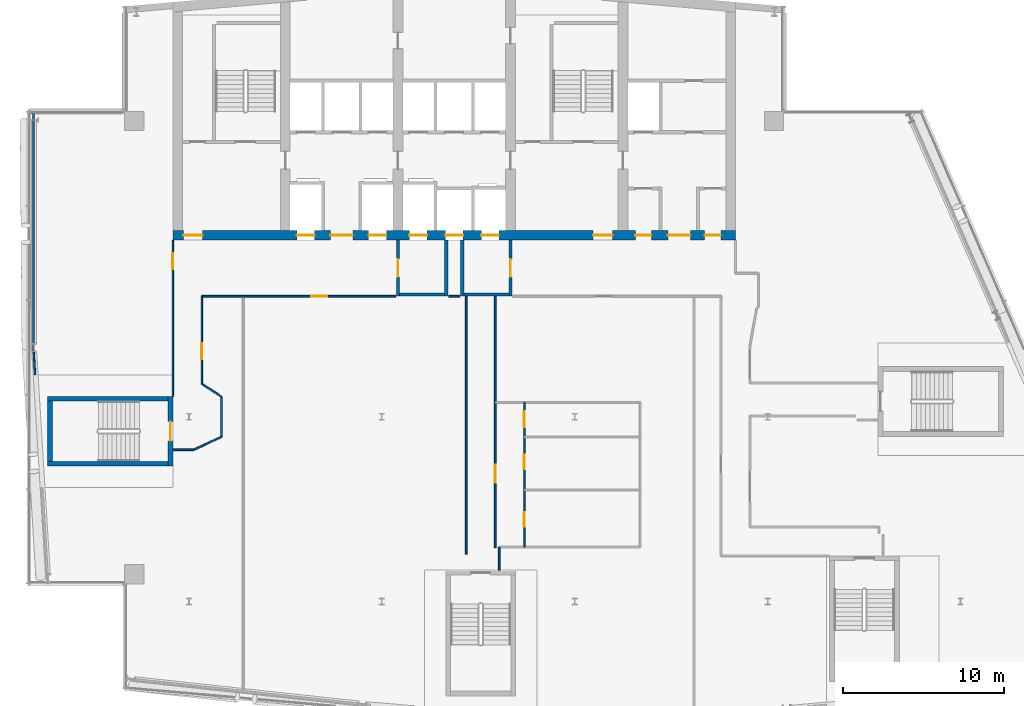
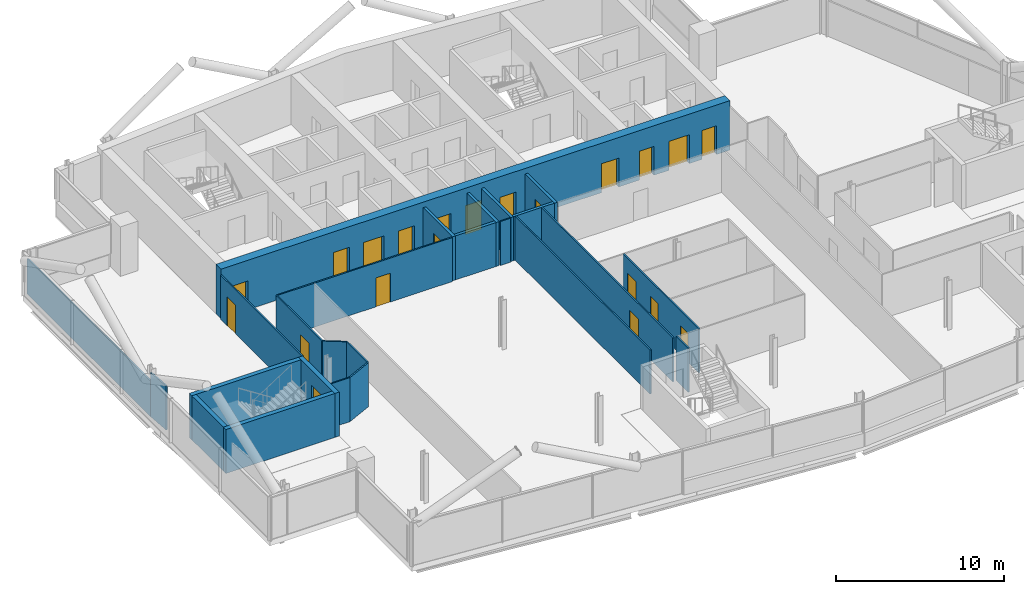
# One storey, part 15 of 25: 25 walls, 21 doors, 21 openings.
"""IFC4 building model written with IfcOpenShell, lengths in metres."""

import ifcopenshell
import ifcopenshell.guid

model = None  # the IFC model being written
_history = None  # IfcOwnerHistory: only IFC2X3 demands one
_inside = {}  # id of a spatial element -> (the spatial element, [elements in it])
_under = {}  # id of a project, library or spatial element -> (it, [spatial elements below it])
_declared = {}  # id of a project -> (the project, [libraries it declares])
_typed = {}  # id of a type object -> (the type object, [elements of that type])
_made_of = {}  # id of a material, layer set ... -> (it, [elements and type objects made of it])


def new_model(schema):
    """Start an empty IFC model of exactly this schema.

    Asked for "IFC4X3", IfcOpenShell would pick the latest addendum, in which some entities
    have other attributes; the version numbers below select the first issue.
    IFC2X3 requires an IfcOwnerHistory on every rooted entity: one is made here for all.
    """
    global model, _history
    if schema == "IFC4X3":
        model = ifcopenshell.file(schema_version=(4, 3, 0, 0))
    else:
        model = ifcopenshell.file(schema=schema)
    _inside.clear()
    _under.clear()
    _declared.clear()
    _typed.clear()
    _made_of.clear()
    _history = None
    if model.schema == "IFC2X3":
        org = make("IfcOrganization", Name="unknown")
        user = make(
            "IfcPersonAndOrganization",
            ThePerson=make("IfcPerson", FamilyName="unknown"),
            TheOrganization=org,
        )
        app = make(
            "IfcApplication",
            ApplicationDeveloper=org,
            Version="unknown",
            ApplicationFullName="unknown",
            ApplicationIdentifier="unknown",
        )
        _history = make(
            "IfcOwnerHistory",
            OwningUser=user,
            OwningApplication=app,
            ChangeAction="ADDED",
            CreationDate=0,
        )
    return model


def make(cls, **values):
    """One entity of the class cls with the attributes given. An attribute that is None is left unset."""
    return model.create_entity(
        cls, **{name: value for name, value in values.items() if value is not None}
    )


def rooted(cls, **values):
    """An entity with a GlobalId (a new one), such as an element, a storey or a relation."""
    return make(cls, GlobalId=ifcopenshell.guid.new(), OwnerHistory=_history, **values)


def si_unit(unit_type, name, prefix=None):
    """IfcSIUnit, for example si_unit("LENGTHUNIT", "METRE", prefix="MILLI")."""
    return make("IfcSIUnit", UnitType=unit_type, Prefix=prefix, Name=name)


def assignment(units):
    """IfcUnitAssignment: the units of a project."""
    return None if units is None else make("IfcUnitAssignment", Units=units)


def point(xyz):
    """IfcCartesianPoint."""
    return None if xyz is None else make("IfcCartesianPoint", Coordinates=xyz)


def direction(xyz):
    """IfcDirection."""
    return None if xyz is None else make("IfcDirection", DirectionRatios=xyz)


def frame(location, z_axis=None, x_axis=None):
    """IfcAxis2Placement3D, a coordinate frame: its origin and axes. An axis left out is left unset."""
    return make(
        "IfcAxis2Placement3D",
        Location=point(location),
        Axis=direction(z_axis),
        RefDirection=direction(x_axis),
    )


def frame_2d(location, x_axis=None):
    """IfcAxis2Placement2D, a coordinate frame in the plane: its origin and x axis."""
    return make(
        "IfcAxis2Placement2D", Location=point(location), RefDirection=direction(x_axis)
    )


def origin():
    """The frame at (0, 0, 0) with its axes left unset."""
    return frame((0.0, 0.0, 0.0))


def place(relative_to, where):
    """IfcLocalPlacement: puts the frame where relative to a parent placement (None: the world)."""
    return make(
        "IfcLocalPlacement", PlacementRelTo=relative_to, RelativePlacement=where
    )


def context(
    kind, dimensions, precision=None, world=None, true_north=None, identifier=None
):
    """IfcGeometricRepresentationContext, for example the 3D "Model" context."""
    return make(
        "IfcGeometricRepresentationContext",
        ContextIdentifier=identifier,
        ContextType=kind,
        CoordinateSpaceDimension=dimensions,
        Precision=precision,
        WorldCoordinateSystem=world,
        TrueNorth=true_north,
    )


def subcontext(parent, identifier, kind, view, scale=None):
    """IfcGeometricRepresentationSubContext, for example "Body" below "Model"."""
    return make(
        "IfcGeometricRepresentationSubContext",
        ContextIdentifier=identifier,
        ContextType=kind,
        ParentContext=parent,
        TargetScale=scale,
        TargetView=view,
    )


def project(units=None, contexts=None):
    """IfcProject with its units and contexts."""
    return rooted(
        "IfcProject",
        Name="project",
        RepresentationContexts=contexts,
        UnitsInContext=assignment(units),
    )


def spatial(cls, under=None, at=None, **own):
    """A site, building, storey or space (cls), placed at a placement, below another one or the project."""
    s = rooted(cls, ObjectPlacement=at, **own)
    if under is not None:
        _under.setdefault(under.id(), (under, []))[1].append(s)
    return s


def profile(cls, at=None, kind="AREA", **sizes):
    """A parametric profile (cls). Its sizes go by their IFC names, for example OverallWidth=200.0."""
    return make(cls, ProfileType=kind, Position=at, **sizes)


def rectangle(**sizes):
    """IfcRectangleProfileDef."""
    return profile("IfcRectangleProfileDef", **sizes)


def extrude(swept, where, along, depth):
    """IfcExtrudedAreaSolid: the profile swept, set in the frame where, extruded along a direction by depth."""
    return make(
        "IfcExtrudedAreaSolid",
        SweptArea=swept,
        Position=where,
        ExtrudedDirection=direction(along),
        Depth=depth,
    )


def shape(context_of_items, identifier, shape_type, items):
    """IfcShapeRepresentation: the items that make up one representation, for example the "Body"."""
    return make(
        "IfcShapeRepresentation",
        ContextOfItems=context_of_items,
        RepresentationIdentifier=identifier,
        RepresentationType=shape_type,
        Items=items,
    )


def material(Name=None, Category=None):
    """IfcMaterial."""
    return make("IfcMaterial", Name=Name, Category=Category)


def layer(
    of_material, thickness, ventilated=None, Name=None, Category=None, Priority=None
):
    """IfcMaterialLayer: one layer of a wall or slab, of a material (None: an air gap)."""
    return make(
        "IfcMaterialLayer",
        Material=of_material,
        LayerThickness=thickness,
        IsVentilated=ventilated,
        Name=Name,
        Category=Category,
        Priority=Priority,
    )


def layer_set(layers, Name=None):
    """IfcMaterialLayerSet."""
    return make("IfcMaterialLayerSet", MaterialLayers=layers, LayerSetName=Name)


def made_of(thing, what):
    """Note that an element or type object is made of a material, layer set ...; save() writes the relation."""
    if what is not None:
        _made_of.setdefault(what.id(), (what, []))[1].append(thing)
    return thing


def type_object(cls, material=None, **own):
    """A type object (cls), such as IfcWallType, which elements share."""
    return made_of(rooted(cls, **own), material)


def element(
    cls,
    number,
    at=None,
    inside=None,
    cuts=None,
    type_object=None,
    material=None,
    context=None,
    identifier="Body",
    shape_type=None,
    held_by="IfcProductDefinitionShape",
    body=None,
    shapes=None,
    **own,
):
    """One element of the class cls, such as IfcWall. Its Tag is "e" and its number.

    at: its placement. inside: the storey or other place that contains it. cuts: it is an
    opening in that element (IfcRelVoidsElement). A single representation is given by context,
    identifier, shape_type and body (its items); several are given by shapes. held_by: the class
    of the entity that holds the representations. save() writes the other relations.
    """
    e = rooted(cls, Tag="e%d" % number, ObjectPlacement=at, **own)
    if body is not None:
        shapes = [shape(context, identifier, shape_type, body)]
    if shapes is not None:
        e.Representation = make(held_by, Representations=shapes)
    if inside is not None:
        _inside.setdefault(inside.id(), (inside, []))[1].append(e)
    if cuts is not None:
        rooted(
            "IfcRelVoidsElement", RelatingBuildingElement=cuts, RelatedOpeningElement=e
        )
    if type_object is not None:
        _typed.setdefault(type_object.id(), (type_object, []))[1].append(e)
    return made_of(e, material)


def fill(opening, filler):
    """IfcRelFillsElement: the door or window that sits in an opening."""
    return rooted(
        "IfcRelFillsElement",
        RelatingOpeningElement=opening,
        RelatedBuildingElement=filler,
    )


def aggregate(whole, parts):
    """IfcRelAggregates: a whole, such as a stair, and the parts it consists of."""
    return rooted("IfcRelAggregates", RelatingObject=whole, RelatedObjects=parts)


def save(model, path):
    """Write the relations noted so far, then the file.

    IfcRelAggregates (storeys below a building ...), IfcRelContainedInSpatialStructure (elements
    in a storey), IfcRelDefinesByType, IfcRelAssociatesMaterial and IfcRelDeclares: one each for
    every whole, place, type object, material and project.
    """
    for whole, parts in _under.values():
        aggregate(whole, parts)
    for where, things in _inside.values():
        rooted(
            "IfcRelContainedInSpatialStructure",
            RelatedElements=things,
            RelatingStructure=where,
        )
    for kind, things in _typed.values():
        rooted("IfcRelDefinesByType", RelatedObjects=things, RelatingType=kind)
    for what, things in _made_of.values():
        rooted("IfcRelAssociatesMaterial", RelatedObjects=things, RelatingMaterial=what)
    for by, libraries in _declared.values():
        rooted("IfcRelDeclares", RelatingContext=by, RelatedDefinitions=libraries)
    model.write(path)


model = new_model("IFC4")

# Units and contexts
model_context = context("Model", 3, precision=1e-05, world=origin(), true_north=direction((0.0, 1.0)))
body_context = subcontext(model_context, "Body", "Model", "MODEL_VIEW")
ifc_project = project(units=[si_unit("LENGTHUNIT", "METRE"), si_unit("AREAUNIT", "SQUARE_METRE"), si_unit("VOLUMEUNIT", "CUBIC_METRE"), si_unit("PLANEANGLEUNIT", "RADIAN"), si_unit("MASSUNIT", "GRAM", prefix="KILO")], contexts=[model_context])

# Site, building, storey
site_placement = place(None, origin())
site = spatial("IfcSite", under=ifc_project, at=site_placement, CompositionType="ELEMENT")
building_placement = place(site_placement, origin())
building = spatial("IfcBuilding", under=site, at=building_placement, Name="Wharfspan Tower", CompositionType="ELEMENT")
storey_placement = place(building_placement, frame((0.0, 0.0, 232.300049)))
storey = spatial("IfcBuildingStorey", under=building, at=storey_placement, Name="L58", CompositionType="ELEMENT", Elevation=232.300049)

# Wall, opening, door
ifc_material_1 = material(Name="Gypsum board on steel studs", Category="steel")
ifc_layer_1 = layer(ifc_material_1, 0.100098)
ifc_layer_set_1 = layer_set([ifc_layer_1], Name="Gypsum board on steel studs")
wall_type_1 = type_object("IfcWallType", Name="Compartment wall 100 EI 60", PredefinedType="PARTITIONING", material=ifc_layer_set_1)
wall_1_placement = place(storey_placement, frame((23.0, 24.274902, 0.0), z_axis=(0.0, 0.0, 1.0), x_axis=(0.0, 1.0, 0.0)))
wall_1 = element("IfcWall", 1, at=wall_1_placement, inside=storey, type_object=wall_type_1, Name="Partition L58.w004", PredefinedType="PARTITIONING", context=body_context, shape_type="SweptSolid", body=[
    extrude(rectangle(XDim=9.705078, YDim=0.100098, at=frame_2d((4.852539, 0.0))), origin(), (0.0, 0.0, 1.0), 3.199951),
])
opening_1_placement = place(wall_1_placement, frame((7.905029, 0.0, 0.0)))
opening_1 = element("IfcOpeningElement", 2, at=opening_1_placement, cuts=wall_1, Name="Opening D4-11", PredefinedType="OPENING", context=body_context, shape_type="SweptSolid", body=[
    extrude(rectangle(XDim=1.0, YDim=2.100098, at=frame_2d((0.5, 1.050049))), frame((0.0, 0.060059, 0.0), z_axis=(0.0, -1.0, 0.0), x_axis=(1.0, 0.0, 0.0)), (0.0, 0.0, 1.0), 0.120117),
])
ifc_material_2 = material(Name="Fire-rated timber door leaf in steel frame", Category="steel")
door_type_1 = type_object("IfcDoorType", Name="Door 1000 FD30S Right", OperationType="SINGLE_SWING_RIGHT", PredefinedType="DOOR", material=ifc_material_2)
door_1_placement = place(opening_1_placement, origin())
door_1 = element("IfcDoor", 3, at=door_1_placement, inside=storey, type_object=door_type_1, Name="Door D4-11", OperationType="SINGLE_SWING_RIGHT", OverallHeight=2.100098, OverallWidth=1.0, PredefinedType="DOOR", context=body_context, shape_type="SweptSolid", body=[
    extrude(rectangle(XDim=1.0, YDim=2.100098, at=frame_2d((0.5, 1.050049))), frame((0.0, 0.024902, 0.0), z_axis=(0.0, -1.0, 0.0), x_axis=(1.0, 0.0, 0.0)), (0.0, 0.0, 1.0), 0.050049),
])
fill(opening_1, door_1)

# Walls
wall_2_placement = place(storey_placement, frame((23.02002, 20.949951, 0.0), z_axis=(0.0, 0.0, 1.0), x_axis=(1.0, 0.0, 0.0)))
element("IfcWall", 4, at=wall_2_placement, inside=storey, type_object=wall_type_1, Name="Partition L58.w005", PredefinedType="PARTITIONING", context=body_context, shape_type="SweptSolid", body=[
    extrude(rectangle(XDim=1.280029, YDim=0.100098, at=frame_2d((0.640137, 0.0))), origin(), (0.0, 0.0, 1.0), 3.199951),
])
wall_3_placement = place(storey_placement, frame((24.300049, 20.949951, 0.0), z_axis=(0.0, 0.0, 1.0), x_axis=(0.907168, 0.420777, 0.0)))
element("IfcWall", 5, at=wall_3_placement, inside=storey, type_object=wall_type_1, Name="Partition L58.w006", PredefinedType="PARTITIONING", context=body_context, shape_type="SweptSolid", body=[
    extrude(rectangle(XDim=1.901367, YDim=0.100098, at=frame_2d((0.950684, 0.0))), origin(), (0.0, 0.0, 1.0), 3.199951),
])

# Wall, opening, door
wall_4_placement = place(storey_placement, frame((24.800049, 25.050049, 0.0), z_axis=(0.0, 0.0, 1.0), x_axis=(0.0, 1.0, 0.0)))
wall_4 = element("IfcWall", 6, at=wall_4_placement, inside=storey, type_object=wall_type_1, Name="Partition L58.w007", PredefinedType="PARTITIONING", context=body_context, shape_type="SweptSolid", body=[
    extrude(rectangle(XDim=5.449951, YDim=0.100098, at=frame_2d((2.725098, 0.0))), origin(), (0.0, 0.0, 1.0), 3.199951),
])
opening_2_placement = place(wall_4_placement, frame((1.536865, 0.0, 0.0)))
opening_2 = element("IfcOpeningElement", 7, at=opening_2_placement, cuts=wall_4, Name="Opening D4-08", PredefinedType="OPENING", context=body_context, shape_type="SweptSolid", body=[
    extrude(rectangle(XDim=1.0, YDim=2.100098, at=frame_2d((0.5, 1.050049))), frame((0.0, 0.060059, 0.0), z_axis=(0.0, -1.0, 0.0), x_axis=(1.0, 0.0, 0.0)), (0.0, 0.0, 1.0), 0.120117),
])
door_type_2 = type_object("IfcDoorType", Name="Door 1000 FD30S Left", OperationType="SINGLE_SWING_LEFT", PredefinedType="DOOR", material=ifc_material_2)
door_2_placement = place(opening_2_placement, origin())
door_2 = element("IfcDoor", 8, at=door_2_placement, inside=storey, type_object=door_type_2, Name="Door D4-08", OperationType="SINGLE_SWING_LEFT", OverallHeight=2.100098, OverallWidth=1.0, PredefinedType="DOOR", context=body_context, shape_type="SweptSolid", body=[
    extrude(rectangle(XDim=1.0, YDim=2.100098, at=frame_2d((0.5, 1.050049))), frame((0.0, 0.024902, 0.0), z_axis=(0.0, -1.0, 0.0), x_axis=(1.0, 0.0, 0.0)), (0.0, 0.0, 1.0), 0.050049),
])
fill(opening_2, door_2)

wall_5_placement = place(storey_placement, frame((24.800049, 30.5, 0.0), z_axis=(0.0, 0.0, 1.0), x_axis=(1.0, 0.0, 0.0)))
wall_5 = element("IfcWall", 9, at=wall_5_placement, inside=storey, type_object=wall_type_1, Name="Partition L58.w008", PredefinedType="PARTITIONING", context=body_context, shape_type="SweptSolid", body=[
    extrude(rectangle(XDim=12.050049, YDim=0.100098, at=frame_2d((6.024902, 0.0))), origin(), (0.0, 0.0, 1.0), 3.199951),
])
opening_3_placement = place(wall_5_placement, frame((6.794922, 0.0, 0.0)))
opening_3 = element("IfcOpeningElement", 10, at=opening_3_placement, cuts=wall_5, Name="Opening D4-09", PredefinedType="OPENING", context=body_context, shape_type="SweptSolid", body=[
    extrude(rectangle(XDim=1.0, YDim=2.100098, at=frame_2d((0.5, 1.050049))), frame((0.0, 0.060059, 0.0), z_axis=(0.0, -1.0, 0.0), x_axis=(1.0, 0.0, 0.0)), (0.0, 0.0, 1.0), 0.120117),
])
door_3_placement = place(opening_3_placement, origin())
door_3 = element("IfcDoor", 11, at=door_3_placement, inside=storey, type_object=door_type_2, Name="Door D4-09", OperationType="SINGLE_SWING_LEFT", OverallHeight=2.100098, OverallWidth=1.0, PredefinedType="DOOR", context=body_context, shape_type="SweptSolid", body=[
    extrude(rectangle(XDim=1.0, YDim=2.100098, at=frame_2d((0.5, 1.050049))), frame((0.0, 0.024902, 0.0), z_axis=(0.0, -1.0, 0.0), x_axis=(1.0, 0.0, 0.0)), (0.0, 0.0, 1.0), 0.050049),
])
fill(opening_3, door_3)

# Walls
wall_6_placement = place(storey_placement, frame((26.024902, 21.75, 0.0), z_axis=(0.0, 0.0, 1.0), x_axis=(0.0, 1.0, 0.0)))
element("IfcWall", 12, at=wall_6_placement, inside=storey, type_object=wall_type_1, Name="Partition L58.w009", PredefinedType="PARTITIONING", context=body_context, shape_type="SweptSolid", body=[
    extrude(rectangle(XDim=2.5, YDim=0.100098, at=frame_2d((1.25, 0.0))), origin(), (0.0, 0.0, 1.0), 3.199951),
])
wall_7_placement = place(storey_placement, frame((26.024902, 24.25, 0.0), z_axis=(0.0, 0.0, 1.0), x_axis=(-0.837222, 0.546856, 0.0)))
element("IfcWall", 13, at=wall_7_placement, inside=storey, type_object=wall_type_1, Name="Partition L58.w010", PredefinedType="PARTITIONING", context=body_context, shape_type="SweptSolid", body=[
    extrude(rectangle(XDim=1.462891, YDim=0.100098, at=frame_2d((0.731445, 0.0))), origin(), (0.0, 0.0, 1.0), 3.199951),
])
wall_8_placement = place(storey_placement, frame((41.25, 14.443115, 0.0), z_axis=(0.0, 0.0, 1.0), x_axis=(0.0, 1.0, 0.0)))
element("IfcWall", 14, at=wall_8_placement, inside=storey, type_object=wall_type_1, Name="Partition L58.w013", PredefinedType="PARTITIONING", context=body_context, shape_type="SweptSolid", body=[
    extrude(rectangle(XDim=16.056885, YDim=0.100098, at=frame_2d((8.02832, 0.0))), origin(), (0.0, 0.0, 1.0), 3.199951),
])

# Wall, opening, door
wall_9_placement = place(storey_placement, frame((43.054932, 14.860107, 0.0), z_axis=(0.0, 0.0, 1.0), x_axis=(0.0, 1.0, 0.0)))
wall_9 = element("IfcWall", 15, at=wall_9_placement, inside=storey, type_object=wall_type_1, Name="Partition L58.w014", PredefinedType="PARTITIONING", context=body_context, shape_type="SweptSolid", body=[
    extrude(rectangle(XDim=15.639893, YDim=0.100098, at=frame_2d((7.819824, 0.0))), origin(), (0.0, 0.0, 1.0), 3.199951),
])
opening_4_placement = place(wall_9_placement, frame((4.050049, 0.0, 0.0)))
opening_4 = element("IfcOpeningElement", 16, at=opening_4_placement, cuts=wall_9, Name="Opening D4-03", PredefinedType="OPENING", context=body_context, shape_type="SweptSolid", body=[
    extrude(rectangle(XDim=1.100098, YDim=2.100098, at=frame_2d((0.550049, 1.050049))), frame((0.0, 0.060059, 0.0), z_axis=(0.0, -1.0, 0.0), x_axis=(1.0, 0.0, 0.0)), (0.0, 0.0, 1.0), 0.120117),
])
door_type_3 = type_object("IfcDoorType", Name="Door 1100 FD30S Left", OperationType="SINGLE_SWING_LEFT", PredefinedType="DOOR", material=ifc_material_2)
door_4_placement = place(opening_4_placement, origin())
door_4 = element("IfcDoor", 17, at=door_4_placement, inside=storey, type_object=door_type_3, Name="Door D4-03", OperationType="SINGLE_SWING_LEFT", OverallHeight=2.100098, OverallWidth=1.100098, PredefinedType="DOOR", context=body_context, shape_type="SweptSolid", body=[
    extrude(rectangle(XDim=1.100098, YDim=2.100098, at=frame_2d((0.550049, 1.050049))), frame((0.0, 0.024902, 0.0), z_axis=(0.0, -1.0, 0.0), x_axis=(1.0, 0.0, 0.0)), (0.0, 0.0, 1.0), 0.050049),
])
fill(opening_4, door_4)

# Walls
wall_10_placement = place(storey_placement, frame((43.304932, 13.463135, 0.0), z_axis=(0.0, 0.0, 1.0), x_axis=(0.0, 1.0, 0.0)))
element("IfcWall", 18, at=wall_10_placement, inside=storey, type_object=wall_type_1, Name="Partition L58.w017", PredefinedType="PARTITIONING", context=body_context, shape_type="SweptSolid", body=[
    extrude(rectangle(XDim=1.431885, YDim=0.100098, at=frame_2d((0.71582, 0.0))), origin(), (0.0, 0.0, 1.0), 3.199951),
])
wall_11_placement = place(storey_placement, frame((40.149902, 30.5, 0.0), z_axis=(0.0, 0.0, 1.0), x_axis=(1.0, 0.0, 0.0)))
element("IfcWall", 19, at=wall_11_placement, inside=storey, type_object=wall_type_1, Name="Partition L58.w008 (2)", PredefinedType="PARTITIONING", context=body_context, shape_type="SweptSolid", body=[
    extrude(rectangle(XDim=0.700195, YDim=0.100098, at=frame_2d((0.350098, 0.0))), origin(), (0.0, 0.0, 1.0), 3.199951),
])

# Wall, openings, doors
ifc_material_3 = material(Name="Concrete C50/60", Category="concrete")
ifc_layer_2 = layer(ifc_material_3, 0.600098)
ifc_layer_set_2 = layer_set([ifc_layer_2], Name="Concrete C50/60")
wall_type_2 = type_object("IfcWallType", Name="Core wall 600 C50/60", PredefinedType="SHEAR", material=ifc_layer_set_2)
wall_12_placement = place(storey_placement, frame((23.0, 34.300049, 0.0), z_axis=(0.0, 0.0, 1.0), x_axis=(1.0, 0.0, 0.0)))
wall_12 = element("IfcWall", 20, at=wall_12_placement, inside=storey, type_object=wall_type_2, Name="Core front wall L58", PredefinedType="SHEAR", context=body_context, shape_type="SweptSolid", body=[
    extrude(rectangle(XDim=35.0, YDim=0.600098, at=frame_2d((17.5, 0.0))), origin(), (0.0, 0.0, 1.0), 3.599854),
])
opening_5_placement = place(wall_12_placement, frame((0.649902, 0.0, 0.0)))
opening_5 = element("IfcOpeningElement", 21, at=opening_5_placement, cuts=wall_12, Name="Opening SV2.L58", PredefinedType="OPENING", context=body_context, shape_type="SweptSolid", body=[
    extrude(rectangle(XDim=1.199951, YDim=2.100098, at=frame_2d((0.600098, 1.050049))), frame((0.0, 0.310059, 0.0), z_axis=(0.0, -1.0, 0.0), x_axis=(1.0, 0.0, 0.0)), (0.0, 0.0, 1.0), 0.620117),
])
opening_6_placement = place(wall_12_placement, frame((7.716797, 0.0, 0.0)))
opening_6 = element("IfcOpeningElement", 22, at=opening_6_placement, cuts=wall_12, Name="Opening LD.SL1.L58", PredefinedType="OPENING", context=body_context, shape_type="SweptSolid", body=[
    extrude(rectangle(XDim=1.100098, YDim=2.100098, at=frame_2d((0.550049, 1.050049))), frame((0.0, 0.310059, 0.0), z_axis=(0.0, -1.0, 0.0), x_axis=(1.0, 0.0, 0.0)), (0.0, 0.0, 1.0), 0.620117),
])
opening_7_placement = place(wall_12_placement, frame((12.18335, 0.0, 0.0)))
opening_7 = element("IfcOpeningElement", 23, at=opening_7_placement, cuts=wall_12, Name="Opening LD.SL2.L58", PredefinedType="OPENING", context=body_context, shape_type="SweptSolid", body=[
    extrude(rectangle(XDim=1.100098, YDim=2.100098, at=frame_2d((0.550049, 1.050049))), frame((0.0, 0.310059, 0.0), z_axis=(0.0, -1.0, 0.0), x_axis=(1.0, 0.0, 0.0)), (0.0, 0.0, 1.0), 0.620117),
])
opening_8_placement = place(wall_12_placement, frame((9.800049, 0.0, 0.0)))
opening_8 = element("IfcOpeningElement", 24, at=opening_8_placement, cuts=wall_12, Name="Opening HD58.3", PredefinedType="OPENING", context=body_context, shape_type="SweptSolid", body=[
    extrude(rectangle(XDim=1.399902, YDim=2.100098, at=frame_2d((0.699951, 1.050049))), frame((0.0, 0.310059, 0.0), z_axis=(0.0, -1.0, 0.0), x_axis=(1.0, 0.0, 0.0)), (0.0, 0.0, 1.0), 0.620117),
])
opening_9_placement = place(wall_12_placement, frame((14.716797, 0.0, 0.0)))
opening_9 = element("IfcOpeningElement", 25, at=opening_9_placement, cuts=wall_12, Name="Opening LD.FF1.L58", PredefinedType="OPENING", context=body_context, shape_type="SweptSolid", body=[
    extrude(rectangle(XDim=1.100098, YDim=2.100098, at=frame_2d((0.550049, 1.050049))), frame((0.0, 0.310059, 0.0), z_axis=(0.0, -1.0, 0.0), x_axis=(1.0, 0.0, 0.0)), (0.0, 0.0, 1.0), 0.620117),
])
opening_10_placement = place(wall_12_placement, frame((16.949951, 0.0, 0.0)))
opening_10 = element("IfcOpeningElement", 26, at=opening_10_placement, cuts=wall_12, Name="Opening LD.LB7.L58", PredefinedType="OPENING", context=body_context, shape_type="SweptSolid", body=[
    extrude(rectangle(XDim=1.100098, YDim=2.100098, at=frame_2d((0.550049, 1.050049))), frame((0.0, 0.310059, 0.0), z_axis=(0.0, -1.0, 0.0), x_axis=(1.0, 0.0, 0.0)), (0.0, 0.0, 1.0), 0.620117),
])
opening_11_placement = place(wall_12_placement, frame((19.18335, 0.0, 0.0)))
opening_11 = element("IfcOpeningElement", 27, at=opening_11_placement, cuts=wall_12, Name="Opening LD.FF2.L58", PredefinedType="OPENING", context=body_context, shape_type="SweptSolid", body=[
    extrude(rectangle(XDim=1.100098, YDim=2.100098, at=frame_2d((0.550049, 1.050049))), frame((0.0, 0.310059, 0.0), z_axis=(0.0, -1.0, 0.0), x_axis=(1.0, 0.0, 0.0)), (0.0, 0.0, 1.0), 0.620117),
])
opening_12_placement = place(wall_12_placement, frame((26.149902, 0.0, 0.0)))
opening_12 = element("IfcOpeningElement", 28, at=opening_12_placement, cuts=wall_12, Name="Opening SV5.L58", PredefinedType="OPENING", context=body_context, shape_type="SweptSolid", body=[
    extrude(rectangle(XDim=1.199951, YDim=2.100098, at=frame_2d((0.600098, 1.050049))), frame((0.0, 0.310059, 0.0), z_axis=(0.0, -1.0, 0.0), x_axis=(1.0, 0.0, 0.0)), (0.0, 0.0, 1.0), 0.620117),
])
opening_13_placement = place(wall_12_placement, frame((28.766602, 0.0, 0.0)))
opening_13 = element("IfcOpeningElement", 29, at=opening_13_placement, cuts=wall_12, Name="Opening CD58.6F1", PredefinedType="OPENING", context=body_context, shape_type="SweptSolid", body=[
    extrude(rectangle(XDim=1.0, YDim=2.100098, at=frame_2d((0.5, 1.050049))), frame((0.0, 0.310059, 0.0), z_axis=(0.0, -1.0, 0.0), x_axis=(1.0, 0.0, 0.0)), (0.0, 0.0, 1.0), 0.620117),
])
opening_14_placement = place(wall_12_placement, frame((33.083252, 0.0, 0.0)))
opening_14 = element("IfcOpeningElement", 30, at=opening_14_placement, cuts=wall_12, Name="Opening CD58.6F3", PredefinedType="OPENING", context=body_context, shape_type="SweptSolid", body=[
    extrude(rectangle(XDim=1.0, YDim=2.100098, at=frame_2d((0.5, 1.050049))), frame((0.0, 0.310059, 0.0), z_axis=(0.0, -1.0, 0.0), x_axis=(1.0, 0.0, 0.0)), (0.0, 0.0, 1.0), 0.620117),
])
opening_15_placement = place(wall_12_placement, frame((30.800049, 0.0, 0.0)))
opening_15 = element("IfcOpeningElement", 31, at=opening_15_placement, cuts=wall_12, Name="Opening HD58.6", PredefinedType="OPENING", context=body_context, shape_type="SweptSolid", body=[
    extrude(rectangle(XDim=1.399902, YDim=2.100098, at=frame_2d((0.699951, 1.050049))), frame((0.0, 0.310059, 0.0), z_axis=(0.0, -1.0, 0.0), x_axis=(1.0, 0.0, 0.0)), (0.0, 0.0, 1.0), 0.620117),
])
ifc_material_4 = material(Name="Steel door leaf", Category="steel")
door_type_4 = type_object("IfcDoorType", Name="Core room door 1000x2100", OperationType="SINGLE_SWING_LEFT", PredefinedType="DOOR", material=ifc_material_4)
door_5_placement = place(opening_13_placement, origin())
door_5 = element("IfcDoor", 32, at=door_5_placement, inside=storey, type_object=door_type_4, Name="d:L58:6:fd6.1", OperationType="SINGLE_SWING_LEFT", OverallHeight=2.100098, OverallWidth=1.0, PredefinedType="DOOR", context=body_context, shape_type="SweptSolid", body=[
    extrude(rectangle(XDim=1.0, YDim=2.100098, at=frame_2d((0.5, 1.050049))), frame((0.0, 0.024902, 0.0), z_axis=(0.0, -1.0, 0.0), x_axis=(1.0, 0.0, 0.0)), (0.0, 0.0, 1.0), 0.050049),
])
fill(opening_13, door_5)
door_6_placement = place(opening_14_placement, origin())
door_6 = element("IfcDoor", 33, at=door_6_placement, inside=storey, type_object=door_type_4, Name="d:L58:6:fd6.3", OperationType="SINGLE_SWING_LEFT", OverallHeight=2.100098, OverallWidth=1.0, PredefinedType="DOOR", context=body_context, shape_type="SweptSolid", body=[
    extrude(rectangle(XDim=1.0, YDim=2.100098, at=frame_2d((0.5, 1.050049))), frame((0.0, 0.024902, 0.0), z_axis=(0.0, -1.0, 0.0), x_axis=(1.0, 0.0, 0.0)), (0.0, 0.0, 1.0), 0.050049),
])
fill(opening_14, door_6)
door_type_5 = type_object("IfcDoorType", Name="Hall entry door 1400x2100", OperationType="DOUBLE_DOOR_SINGLE_SWING", PredefinedType="DOOR", material=ifc_material_4)
door_7_placement = place(opening_8_placement, origin())
door_7 = element("IfcDoor", 34, at=door_7_placement, inside=storey, type_object=door_type_5, Name="d:L58:3:hd3", OperationType="DOUBLE_DOOR_SINGLE_SWING", OverallHeight=2.100098, OverallWidth=1.399902, PredefinedType="DOOR", context=body_context, shape_type="SweptSolid", body=[
    extrude(rectangle(XDim=1.399902, YDim=2.100098, at=frame_2d((0.699951, 1.050049))), frame((0.0, 0.024902, 0.0), z_axis=(0.0, -1.0, 0.0), x_axis=(1.0, 0.0, 0.0)), (0.0, 0.0, 1.0), 0.050049),
])
fill(opening_8, door_7)
door_8_placement = place(opening_15_placement, origin())
door_8 = element("IfcDoor", 35, at=door_8_placement, inside=storey, type_object=door_type_5, Name="d:L58:6:hd6", OperationType="DOUBLE_DOOR_SINGLE_SWING", OverallHeight=2.100098, OverallWidth=1.399902, PredefinedType="DOOR", context=body_context, shape_type="SweptSolid", body=[
    extrude(rectangle(XDim=1.399902, YDim=2.100098, at=frame_2d((0.699951, 1.050049))), frame((0.0, 0.024902, 0.0), z_axis=(0.0, -1.0, 0.0), x_axis=(1.0, 0.0, 0.0)), (0.0, 0.0, 1.0), 0.050049),
])
fill(opening_15, door_8)
ifc_material_5 = material(Name="Stainless steel", Category="steel")
door_type_6 = type_object("IfcDoorType", Name="Lift landing door 1100x2100", OperationType="DOUBLE_DOOR_SLIDING", PredefinedType="DOOR", material=ifc_material_5)
door_9_placement = place(opening_6_placement, origin())
door_9 = element("IfcDoor", 36, at=door_9_placement, inside=storey, type_object=door_type_6, Name="Landing door SL1 L58", OperationType="DOUBLE_DOOR_SLIDING", OverallHeight=2.100098, OverallWidth=1.100098, PredefinedType="DOOR", context=body_context, shape_type="SweptSolid", body=[
    extrude(rectangle(XDim=1.100098, YDim=2.100098, at=frame_2d((0.550049, 1.050049))), frame((0.0, 0.024902, 0.0), z_axis=(0.0, -1.0, 0.0), x_axis=(1.0, 0.0, 0.0)), (0.0, 0.0, 1.0), 0.050049),
])
fill(opening_6, door_9)
door_10_placement = place(opening_7_placement, origin())
door_10 = element("IfcDoor", 37, at=door_10_placement, inside=storey, type_object=door_type_6, Name="Landing door SL2 L58", OperationType="DOUBLE_DOOR_SLIDING", OverallHeight=2.100098, OverallWidth=1.100098, PredefinedType="DOOR", context=body_context, shape_type="SweptSolid", body=[
    extrude(rectangle(XDim=1.100098, YDim=2.100098, at=frame_2d((0.550049, 1.050049))), frame((0.0, 0.024902, 0.0), z_axis=(0.0, -1.0, 0.0), x_axis=(1.0, 0.0, 0.0)), (0.0, 0.0, 1.0), 0.050049),
])
fill(opening_7, door_10)
door_11_placement = place(opening_9_placement, origin())
door_11 = element("IfcDoor", 38, at=door_11_placement, inside=storey, type_object=door_type_6, Name="Landing door FF1 L58", OperationType="DOUBLE_DOOR_SLIDING", OverallHeight=2.100098, OverallWidth=1.100098, PredefinedType="DOOR", context=body_context, shape_type="SweptSolid", body=[
    extrude(rectangle(XDim=1.100098, YDim=2.100098, at=frame_2d((0.550049, 1.050049))), frame((0.0, 0.024902, 0.0), z_axis=(0.0, -1.0, 0.0), x_axis=(1.0, 0.0, 0.0)), (0.0, 0.0, 1.0), 0.050049),
])
fill(opening_9, door_11)
door_12_placement = place(opening_10_placement, origin())
door_12 = element("IfcDoor", 39, at=door_12_placement, inside=storey, type_object=door_type_6, Name="Landing door LB7 L58", OperationType="DOUBLE_DOOR_SLIDING", OverallHeight=2.100098, OverallWidth=1.100098, PredefinedType="DOOR", context=body_context, shape_type="SweptSolid", body=[
    extrude(rectangle(XDim=1.100098, YDim=2.100098, at=frame_2d((0.550049, 1.050049))), frame((0.0, 0.024902, 0.0), z_axis=(0.0, -1.0, 0.0), x_axis=(1.0, 0.0, 0.0)), (0.0, 0.0, 1.0), 0.050049),
])
fill(opening_10, door_12)
door_13_placement = place(opening_11_placement, origin())
door_13 = element("IfcDoor", 40, at=door_13_placement, inside=storey, type_object=door_type_6, Name="Landing door FF2 L58", OperationType="DOUBLE_DOOR_SLIDING", OverallHeight=2.100098, OverallWidth=1.100098, PredefinedType="DOOR", context=body_context, shape_type="SweptSolid", body=[
    extrude(rectangle(XDim=1.100098, YDim=2.100098, at=frame_2d((0.550049, 1.050049))), frame((0.0, 0.024902, 0.0), z_axis=(0.0, -1.0, 0.0), x_axis=(1.0, 0.0, 0.0)), (0.0, 0.0, 1.0), 0.050049),
])
fill(opening_11, door_13)
door_type_7 = type_object("IfcDoorType", Name="Stair door 1200x2100", OperationType="SINGLE_SWING_LEFT", PredefinedType="DOOR", material=ifc_material_4)
door_14_placement = place(opening_5_placement, origin())
door_14 = element("IfcDoor", 41, at=door_14_placement, inside=storey, type_object=door_type_7, Name="vd:L58:2", OperationType="SINGLE_SWING_LEFT", OverallHeight=2.100098, OverallWidth=1.199951, PredefinedType="DOOR", context=body_context, shape_type="SweptSolid", body=[
    extrude(rectangle(XDim=1.199951, YDim=2.100098, at=frame_2d((0.600098, 1.050049))), frame((0.0, 0.024902, 0.0), z_axis=(0.0, -1.0, 0.0), x_axis=(1.0, 0.0, 0.0)), (0.0, 0.0, 1.0), 0.050049),
])
fill(opening_5, door_14)
door_15_placement = place(opening_12_placement, origin())
door_15 = element("IfcDoor", 42, at=door_15_placement, inside=storey, type_object=door_type_7, Name="vd:L58:5", OperationType="SINGLE_SWING_LEFT", OverallHeight=2.100098, OverallWidth=1.199951, PredefinedType="DOOR", context=body_context, shape_type="SweptSolid", body=[
    extrude(rectangle(XDim=1.199951, YDim=2.100098, at=frame_2d((0.600098, 1.050049))), frame((0.0, 0.024902, 0.0), z_axis=(0.0, -1.0, 0.0), x_axis=(1.0, 0.0, 0.0)), (0.0, 0.0, 1.0), 0.050049),
])
fill(opening_12, door_15)

# Wall, opening, door
ifc_material_6 = material(Name="Concrete C30/37", Category="concrete")
ifc_layer_3 = layer(ifc_material_6, 0.199951)
ifc_layer_set_3 = layer_set([ifc_layer_3], Name="Concrete C30/37")
wall_type_3 = type_object("IfcWallType", Name="Lobby wall 200", PredefinedType="PARTITIONING", material=ifc_layer_set_3)
wall_13_placement = place(storey_placement, frame((37.0, 30.5, 0.0), z_axis=(0.0, 0.0, 1.0), x_axis=(0.0, 1.0, 0.0)))
wall_13 = element("IfcWall", 43, at=wall_13_placement, inside=storey, type_object=wall_type_3, Name="sw:L58:FLFF1W", PredefinedType="PARTITIONING", context=body_context, shape_type="SweptSolid", body=[
    extrude(rectangle(XDim=3.5, YDim=0.199951, at=frame_2d((1.75, 0.0))), origin(), (0.0, 0.0, 1.0), 3.199951),
])
opening_16_placement = place(wall_13_placement, frame((1.199951, 0.0, 0.0)))
opening_16 = element("IfcOpeningElement", 44, at=opening_16_placement, cuts=wall_13, Name="Opening FL.FF1.L58", PredefinedType="OPENING", context=body_context, shape_type="SweptSolid", body=[
    extrude(rectangle(XDim=1.100098, YDim=2.100098, at=frame_2d((0.550049, 1.050049))), frame((0.0, 0.109863, 0.0), z_axis=(0.0, -1.0, 0.0), x_axis=(1.0, 0.0, 0.0)), (0.0, 0.0, 1.0), 0.219971),
])
door_type_8 = type_object("IfcDoorType", Name="Firefighting lobby door 1100x2100", OperationType="SINGLE_SWING_LEFT", PredefinedType="DOOR", material=ifc_material_4)
door_16_placement = place(opening_16_placement, origin())
door_16 = element("IfcDoor", 45, at=door_16_placement, inside=storey, type_object=door_type_8, Name="fd:L58:FF1", OperationType="SINGLE_SWING_LEFT", OverallHeight=2.100098, OverallWidth=1.100098, PredefinedType="DOOR", context=body_context, shape_type="SweptSolid", body=[
    extrude(rectangle(XDim=1.100098, YDim=2.100098, at=frame_2d((0.550049, 1.050049))), frame((0.0, 0.024902, 0.0), z_axis=(0.0, -1.0, 0.0), x_axis=(1.0, 0.0, 0.0)), (0.0, 0.0, 1.0), 0.050049),
])
fill(opening_16, door_16)

# Walls
wall_14_placement = place(storey_placement, frame((40.0, 30.5, 0.0), z_axis=(0.0, 0.0, 1.0), x_axis=(0.0, 1.0, 0.0)))
element("IfcWall", 46, at=wall_14_placement, inside=storey, type_object=wall_type_3, Name="sw:L58:FLFF1E", PredefinedType="PARTITIONING", context=body_context, shape_type="SweptSolid", body=[
    extrude(rectangle(XDim=3.5, YDim=0.199951, at=frame_2d((1.75, 0.0))), origin(), (0.0, 0.0, 1.0), 3.199951),
])
wall_15_placement = place(storey_placement, frame((37.100098, 30.600098, 0.0), z_axis=(0.0, 0.0, 1.0), x_axis=(1.0, 0.0, 0.0)))
element("IfcWall", 47, at=wall_15_placement, inside=storey, type_object=wall_type_3, Name="sw:L58:FLFF1F", PredefinedType="PARTITIONING", context=body_context, shape_type="SweptSolid", body=[
    extrude(rectangle(XDim=2.799805, YDim=0.199951, at=frame_2d((1.399902, 0.0))), origin(), (0.0, 0.0, 1.0), 3.199951),
])
wall_16_placement = place(storey_placement, frame((41.0, 30.5, 0.0), z_axis=(0.0, 0.0, 1.0), x_axis=(0.0, 1.0, 0.0)))
element("IfcWall", 48, at=wall_16_placement, inside=storey, type_object=wall_type_3, Name="sw:L58:FLFF2W", PredefinedType="PARTITIONING", context=body_context, shape_type="SweptSolid", body=[
    extrude(rectangle(XDim=3.5, YDim=0.199951, at=frame_2d((1.75, 0.0))), origin(), (0.0, 0.0, 1.0), 3.199951),
])

# Wall, opening, door
wall_17_placement = place(storey_placement, frame((44.0, 30.5, 0.0), z_axis=(0.0, 0.0, 1.0), x_axis=(0.0, 1.0, 0.0)))
wall_17 = element("IfcWall", 49, at=wall_17_placement, inside=storey, type_object=wall_type_3, Name="sw:L58:FLFF2E", PredefinedType="PARTITIONING", context=body_context, shape_type="SweptSolid", body=[
    extrude(rectangle(XDim=3.5, YDim=0.199951, at=frame_2d((1.75, 0.0))), origin(), (0.0, 0.0, 1.0), 3.199951),
])
opening_17_placement = place(wall_17_placement, frame((1.199951, 0.0, 0.0)))
opening_17 = element("IfcOpeningElement", 50, at=opening_17_placement, cuts=wall_17, Name="Opening FL.FF2.L58", PredefinedType="OPENING", context=body_context, shape_type="SweptSolid", body=[
    extrude(rectangle(XDim=1.100098, YDim=2.100098, at=frame_2d((0.550049, 1.050049))), frame((0.0, 0.109863, 0.0), z_axis=(0.0, -1.0, 0.0), x_axis=(1.0, 0.0, 0.0)), (0.0, 0.0, 1.0), 0.219971),
])
door_17_placement = place(opening_17_placement, origin())
door_17 = element("IfcDoor", 51, at=door_17_placement, inside=storey, type_object=door_type_8, Name="fd:L58:FF2", OperationType="SINGLE_SWING_LEFT", OverallHeight=2.100098, OverallWidth=1.100098, PredefinedType="DOOR", context=body_context, shape_type="SweptSolid", body=[
    extrude(rectangle(XDim=1.100098, YDim=2.100098, at=frame_2d((0.550049, 1.050049))), frame((0.0, 0.024902, 0.0), z_axis=(0.0, -1.0, 0.0), x_axis=(1.0, 0.0, 0.0)), (0.0, 0.0, 1.0), 0.050049),
])
fill(opening_17, door_17)

# Walls
wall_18_placement = place(storey_placement, frame((41.100098, 30.600098, 0.0), z_axis=(0.0, 0.0, 1.0), x_axis=(1.0, 0.0, 0.0)))
element("IfcWall", 52, at=wall_18_placement, inside=storey, type_object=wall_type_3, Name="sw:L58:FLFF2F", PredefinedType="PARTITIONING", context=body_context, shape_type="SweptSolid", body=[
    extrude(rectangle(XDim=2.799805, YDim=0.199951, at=frame_2d((1.399902, 0.0))), origin(), (0.0, 0.0, 1.0), 3.199951),
])
ifc_layer_4 = layer(ifc_material_1, 0.100098)
ifc_layer_set_4 = layer_set([ifc_layer_4], Name="Gypsum board on steel studs")
wall_type_4 = type_object("IfcWallType", Name="Partition 100", PredefinedType="PARTITIONING", material=ifc_layer_set_4)
wall_19_placement = place(storey_placement, frame((14.324951, 27.300049, 0.0), z_axis=(0.0, 0.0, 1.0), x_axis=(0.0, 1.0, 0.0)))
element("IfcWall", 53, at=wall_19_placement, inside=storey, type_object=wall_type_4, Name="Partition L58.w001", PredefinedType="PARTITIONING", context=body_context, shape_type="SweptSolid", body=[
    extrude(rectangle(XDim=14.679932, YDim=0.100098, at=frame_2d((7.339844, 0.0))), origin(), (0.0, 0.0, 1.0), 2.579834),
])
wall_20_placement = place(storey_placement, frame((14.428711, 25.620117, 0.0), z_axis=(0.0, 0.0, 1.0), x_axis=(-0.061647, 0.998101, 0.0)))
element("IfcWall", 54, at=wall_20_placement, inside=storey, type_object=wall_type_4, Name="Partition L58.w002", PredefinedType="PARTITIONING", context=body_context, shape_type="SweptSolid", body=[
    extrude(rectangle(XDim=1.683105, YDim=0.100098, at=frame_2d((0.841553, 0.0))), origin(), (0.0, 0.0, 1.0), 3.199951),
])

# Wall, openings, doors
wall_21_placement = place(storey_placement, frame((44.86499, 14.89502, 0.0), z_axis=(0.0, 0.0, 1.0), x_axis=(0.0, 1.0, 0.0)))
wall_21 = element("IfcWall", 55, at=wall_21_placement, inside=storey, type_object=wall_type_4, Name="Partition L58.w019", PredefinedType="PARTITIONING", context=body_context, shape_type="SweptSolid", body=[
    extrude(rectangle(XDim=9.0, YDim=0.100098, at=frame_2d((4.5, 0.0))), origin(), (0.0, 0.0, 1.0), 3.199951),
])
opening_18_placement = place(wall_21_placement, frame((1.272949, 0.0, 0.0)))
opening_18 = element("IfcOpeningElement", 56, at=opening_18_placement, cuts=wall_21, Name="Opening D4-01", PredefinedType="OPENING", context=body_context, shape_type="SweptSolid", body=[
    extrude(rectangle(XDim=0.899902, YDim=2.100098, at=frame_2d((0.449951, 1.050049))), frame((0.0, 0.060059, 0.0), z_axis=(0.0, -1.0, 0.0), x_axis=(1.0, 0.0, 0.0)), (0.0, 0.0, 1.0), 0.120117),
])
opening_19_placement = place(wall_21_placement, frame((4.827881, 0.0, 0.0)))
opening_19 = element("IfcOpeningElement", 57, at=opening_19_placement, cuts=wall_21, Name="Opening D4-05", PredefinedType="OPENING", context=body_context, shape_type="SweptSolid", body=[
    extrude(rectangle(XDim=0.899902, YDim=2.100098, at=frame_2d((0.449951, 1.050049))), frame((0.0, 0.060059, 0.0), z_axis=(0.0, -1.0, 0.0), x_axis=(1.0, 0.0, 0.0)), (0.0, 0.0, 1.0), 0.120117),
])
opening_20_placement = place(wall_21_placement, frame((7.462891, 0.0, 0.0)))
opening_20 = element("IfcOpeningElement", 58, at=opening_20_placement, cuts=wall_21, Name="Opening D4-06", PredefinedType="OPENING", context=body_context, shape_type="SweptSolid", body=[
    extrude(rectangle(XDim=1.0, YDim=2.100098, at=frame_2d((0.5, 1.050049))), frame((0.0, 0.060059, 0.0), z_axis=(0.0, -1.0, 0.0), x_axis=(1.0, 0.0, 0.0)), (0.0, 0.0, 1.0), 0.120117),
])
ifc_material_7 = material(Name="Timber door leaf in steel frame", Category="steel")
door_type_9 = type_object("IfcDoorType", Name="Door 1000 NOT RATED Right", OperationType="SINGLE_SWING_RIGHT", PredefinedType="DOOR", material=ifc_material_7)
door_18_placement = place(opening_20_placement, origin())
door_18 = element("IfcDoor", 59, at=door_18_placement, inside=storey, type_object=door_type_9, Name="Door D4-06", OperationType="SINGLE_SWING_RIGHT", OverallHeight=2.100098, OverallWidth=1.0, PredefinedType="DOOR", context=body_context, shape_type="SweptSolid", body=[
    extrude(rectangle(XDim=1.0, YDim=2.100098, at=frame_2d((0.5, 1.050049))), frame((0.0, 0.024902, 0.0), z_axis=(0.0, -1.0, 0.0), x_axis=(1.0, 0.0, 0.0)), (0.0, 0.0, 1.0), 0.050049),
])
fill(opening_20, door_18)
door_type_10 = type_object("IfcDoorType", Name="Door 900 NOT RATED Left", OperationType="SINGLE_SWING_LEFT", PredefinedType="DOOR", material=ifc_material_7)
door_19_placement = place(opening_18_placement, origin())
door_19 = element("IfcDoor", 60, at=door_19_placement, inside=storey, type_object=door_type_10, Name="Door D4-01", OperationType="SINGLE_SWING_LEFT", OverallHeight=2.100098, OverallWidth=0.899902, PredefinedType="DOOR", context=body_context, shape_type="SweptSolid", body=[
    extrude(rectangle(XDim=0.899902, YDim=2.100098, at=frame_2d((0.449951, 1.050049))), frame((0.0, 0.024902, 0.0), z_axis=(0.0, -1.0, 0.0), x_axis=(1.0, 0.0, 0.0)), (0.0, 0.0, 1.0), 0.050049),
])
fill(opening_18, door_19)
door_type_11 = type_object("IfcDoorType", Name="Door 900 NOT RATED Right", OperationType="SINGLE_SWING_RIGHT", PredefinedType="DOOR", material=ifc_material_7)
door_20_placement = place(opening_19_placement, origin())
door_20 = element("IfcDoor", 61, at=door_20_placement, inside=storey, type_object=door_type_11, Name="Door D4-05", OperationType="SINGLE_SWING_RIGHT", OverallHeight=2.100098, OverallWidth=0.899902, PredefinedType="DOOR", context=body_context, shape_type="SweptSolid", body=[
    extrude(rectangle(XDim=0.899902, YDim=2.100098, at=frame_2d((0.449951, 1.050049))), frame((0.0, 0.024902, 0.0), z_axis=(0.0, -1.0, 0.0), x_axis=(1.0, 0.0, 0.0)), (0.0, 0.0, 1.0), 0.050049),
])
fill(opening_19, door_20)

# Wall, opening, door
ifc_material_8 = material(Name="Concrete C40/50", Category="concrete")
ifc_layer_5 = layer(ifc_material_8, 0.300049)
ifc_layer_set_5 = layer_set([ifc_layer_5], Name="Concrete C40/50")
wall_type_5 = type_object("IfcWallType", Name="Stair core wall 300", PredefinedType="SHEAR", material=ifc_layer_set_5)
wall_22_placement = place(storey_placement, frame((22.850098, 19.925049, 0.0), z_axis=(0.0, 0.0, 1.0), x_axis=(0.0, 1.0, 0.0)))
wall_22 = element("IfcWall", 62, at=wall_22_placement, inside=storey, type_object=wall_type_5, Name="ST3 stair enclosure wall L58", PredefinedType="SHEAR", context=body_context, shape_type="SweptSolid", body=[
    extrude(rectangle(XDim=4.349854, YDim=0.300049, at=frame_2d((2.174805, 0.0))), origin(), (0.0, 0.0, 1.0), 3.199951),
])
opening_21_placement = place(wall_22_placement, frame((1.574951, 0.0, 0.0)))
opening_21 = element("IfcOpeningElement", 63, at=opening_21_placement, cuts=wall_22, Name="Opening SD3.L58", PredefinedType="OPENING", context=body_context, shape_type="SweptSolid", body=[
    extrude(rectangle(XDim=1.199951, YDim=2.100098, at=frame_2d((0.600098, 1.050049))), frame((0.0, 0.159912, 0.0), z_axis=(0.0, -1.0, 0.0), x_axis=(1.0, 0.0, 0.0)), (0.0, 0.0, 1.0), 0.320068),
])
door_21_placement = place(opening_21_placement, origin())
door_21 = element("IfcDoor", 64, at=door_21_placement, inside=storey, type_object=door_type_7, Name="sd:L58:ST3z4", OperationType="SINGLE_SWING_RIGHT", OverallHeight=2.100098, OverallWidth=1.199951, PredefinedType="DOOR", context=body_context, shape_type="SweptSolid", body=[
    extrude(rectangle(XDim=1.199951, YDim=2.100098, at=frame_2d((0.600098, 1.050049))), frame((0.0, 0.024902, 0.0), z_axis=(0.0, -1.0, 0.0), x_axis=(1.0, 0.0, 0.0)), (0.0, 0.0, 1.0), 0.050049),
])
fill(opening_21, door_21)

# Walls
for number, where, z_axis, x_axis, name in (
    (65, (15.199951, 20.074951, 0.0), (0.0, 0.0, 1.0), (1.0, 0.0, 0.0), "ST3 stair enclosure wall L58"),
    (66, (15.199951, 24.125, 0.0), (0.0, 0.0, 1.0), (1.0, 0.0, 0.0), "ST3 stair enclosure wall L58"),
):
    element("IfcWall", number, at=place(storey_placement, frame(where, z_axis=z_axis, x_axis=x_axis)), inside=storey, type_object=wall_type_5, Name=name, PredefinedType="SHEAR", context=body_context, shape_type="SweptSolid", body=[
        extrude(rectangle(XDim=7.5, YDim=0.300049, at=frame_2d((3.75, 0.0))), origin(), (0.0, 0.0, 1.0), 3.199951),
    ])
wall_23_placement = place(storey_placement, frame((15.350098, 20.225098, 0.0), z_axis=(0.0, 0.0, 1.0), x_axis=(0.0, 1.0, 0.0)))
element("IfcWall", 67, at=wall_23_placement, inside=storey, type_object=wall_type_5, Name="ST3 stair enclosure wall L58", PredefinedType="SHEAR", context=body_context, shape_type="SweptSolid", body=[
    extrude(rectangle(XDim=3.75, YDim=0.300049, at=frame_2d((1.875, 0.0))), origin(), (0.0, 0.0, 1.0), 3.199951),
])

save(model, "model.ifc")
